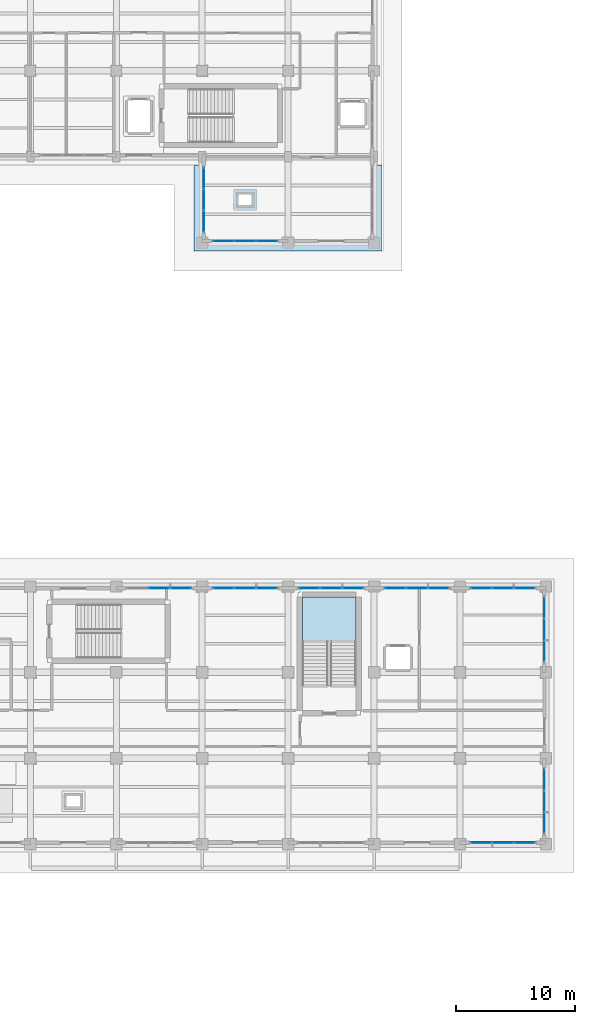
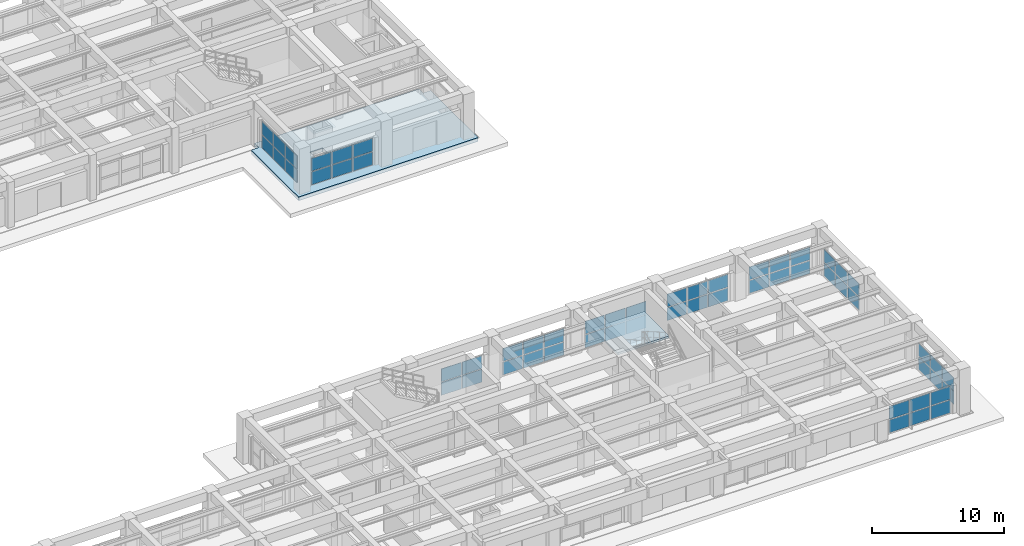
# One storey, part 38 of 64: 58 plates, 2 slabs, 11 elements without a shape of their own.
"""IFC4 building model written with IfcOpenShell, lengths in metres."""

from ifc_helpers import new_model, si_unit, direction, frame, origin, origin_2d, place, context, subcontext, project, spatial, polyline, rectangle, outline, extrude, material, layer, layer_set, type_object, element, aggregate, save


model = new_model("IFC4")

# Units and contexts
model_context = context("Model", 3, precision=1e-05, world=origin(), true_north=direction((0.0, 1.0)))
body_context = subcontext(model_context, "Body", "Model", "MODEL_VIEW")
ifc_project = project(units=[si_unit("LENGTHUNIT", "METRE"), si_unit("AREAUNIT", "SQUARE_METRE"), si_unit("VOLUMEUNIT", "CUBIC_METRE"), si_unit("PLANEANGLEUNIT", "RADIAN"), si_unit("MASSUNIT", "GRAM", prefix="KILO")], contexts=[model_context])

# Site, building, storey
site_placement = place(None, origin())
site = spatial("IfcSite", under=ifc_project, at=site_placement, CompositionType="ELEMENT")
building_placement = place(site_placement, origin())
building = spatial("IfcBuilding", under=site, at=building_placement, Name="Solenvale Faculty of Natural Sciences", CompositionType="ELEMENT")
storey_placement = place(building_placement, origin())
storey = spatial("IfcBuildingStorey", under=building, at=storey_placement, Name="L00", CompositionType="ELEMENT", Elevation=0.0)

# Curtain wall, plates
ifc_material_1 = material(Name="Anodised bronze aluminium", Category="aluminium")
ifc_layer_1 = layer(ifc_material_1, 0.199951171875)
ifc_layer_set_1 = layer_set([ifc_layer_1], Name="Anodised bronze aluminium")
curtain_wall_type_1 = type_object("IfcCurtainWallType", Name="CW-COM-FIN", PredefinedType="USERDEFINED", material=ifc_layer_set_1)
curtain_wall_1_placement = place(storey_placement, origin())
curtain_wall_1 = element("IfcCurtainWall", 1, at=curtain_wall_1_placement, inside=storey, type_object=curtain_wall_type_1, Name="L00 Curtain Wall CW-L00-P1-E6-B1", ObjectType="UNITISED CURTAIN WALL", PredefinedType="USERDEFINED")
ifc_material_2 = material(Name="North-light skylight glass", Category="glass")
ifc_layer_2 = layer(ifc_material_2, 0.028076171875)
ifc_layer_set_2 = layer_set([ifc_layer_2], Name="North-light skylight glass")
plate_type_1 = type_object("IfcPlateType", Name="CWP-PNL-28", PredefinedType="CURTAIN_PANEL", material=ifc_layer_set_2)
plate_1_placement = place(storey_placement, frame((165.45751953125, 37.785400390625, 0.074951171875), z_axis=(0.0, 0.0, 1.0), x_axis=(0.0, 1.0, 0.0)))
plate_1 = element("IfcPlate", 2, at=plate_1_placement, type_object=plate_type_1, Name="CW-03 panel 1.1", PredefinedType="CURTAIN_PANEL", context=body_context, shape_type="SweptSolid", body=[
    extrude(rectangle(XDim=1.720947265625, YDim=0.028076171875, at=origin_2d()), origin(), (0.0, 0.0, 1.0), 1.1875),
])
plate_2_placement = place(storey_placement, frame((165.45751953125, 37.785400390625, 1.33740234375), z_axis=(0.0, 0.0, 1.0), x_axis=(0.0, 1.0, 0.0)))
plate_2 = element("IfcPlate", 3, at=plate_2_placement, type_object=plate_type_1, Name="CW-03 panel 1.2", PredefinedType="CURTAIN_PANEL", context=body_context, shape_type="SweptSolid", body=[
    extrude(rectangle(XDim=1.720947265625, YDim=0.028076171875, at=origin_2d()), origin(), (0.0, 0.0, 1.0), 1.1875),
])
plate_3_placement = place(storey_placement, frame((165.45751953125, 39.60009765625, 0.074951171875), z_axis=(0.0, 0.0, 1.0), x_axis=(0.0, 1.0, 0.0)))
plate_3 = element("IfcPlate", 4, at=plate_3_placement, type_object=plate_type_1, Name="CW-03 panel 2.1", PredefinedType="CURTAIN_PANEL", context=body_context, shape_type="SweptSolid", body=[
    extrude(rectangle(XDim=1.75830078125, YDim=0.028076171875, at=origin_2d()), origin(), (0.0, 0.0, 1.0), 1.1875),
])
plate_4_placement = place(storey_placement, frame((165.45751953125, 39.60009765625, 1.33740234375), z_axis=(0.0, 0.0, 1.0), x_axis=(0.0, 1.0, 0.0)))
plate_4 = element("IfcPlate", 5, at=plate_4_placement, type_object=plate_type_1, Name="CW-03 panel 2.2", PredefinedType="CURTAIN_PANEL", context=body_context, shape_type="SweptSolid", body=[
    extrude(rectangle(XDim=1.75830078125, YDim=0.028076171875, at=origin_2d()), origin(), (0.0, 0.0, 1.0), 1.1875),
])
plate_5_placement = place(storey_placement, frame((165.45751953125, 41.41455078125, 0.074951171875), z_axis=(0.0, 0.0, 1.0), x_axis=(0.0, 1.0, 0.0)))
plate_5 = element("IfcPlate", 6, at=plate_5_placement, type_object=plate_type_1, Name="CW-03 panel 3.1", PredefinedType="CURTAIN_PANEL", context=body_context, shape_type="SweptSolid", body=[
    extrude(rectangle(XDim=1.720947265625, YDim=0.028076171875, at=origin_2d()), origin(), (0.0, 0.0, 1.0), 1.1875),
])
plate_6_placement = place(storey_placement, frame((165.45751953125, 41.41455078125, 1.33740234375), z_axis=(0.0, 0.0, 1.0), x_axis=(0.0, 1.0, 0.0)))
plate_6 = element("IfcPlate", 7, at=plate_6_placement, type_object=plate_type_1, Name="CW-03 panel 3.2", PredefinedType="CURTAIN_PANEL", context=body_context, shape_type="SweptSolid", body=[
    extrude(rectangle(XDim=1.720947265625, YDim=0.028076171875, at=origin_2d()), origin(), (0.0, 0.0, 1.0), 1.1875),
])
aggregate(curtain_wall_1, [plate_1, plate_2, plate_3, plate_4, plate_5, plate_6])

ifc_layer_3 = layer(ifc_material_1, 0.179931640625)
ifc_layer_set_3 = layer_set([ifc_layer_3], Name="Anodised bronze aluminium")
curtain_wall_type_2 = type_object("IfcCurtainWallType", Name="CW-TWR-MOD", PredefinedType="USERDEFINED", material=ifc_layer_set_3)
curtain_wall_2_placement = place(storey_placement, origin())
curtain_wall_2 = element("IfcCurtainWall", 8, at=curtain_wall_2_placement, inside=storey, type_object=curtain_wall_type_2, Name="L00 Curtain Wall CW-L00-P1-E14-B1", ObjectType="UNITISED CURTAIN WALL", PredefinedType="USERDEFINED")
plate_7_placement = place(storey_placement, frame((138.58544921875, 86.54248046875, 0.074951171875), z_axis=(0.0, 0.0, 1.0), x_axis=(1.0, 0.0, 0.0)))
plate_7 = element("IfcPlate", 9, at=plate_7_placement, type_object=plate_type_1, Name="CW-04 panel 1.1", PredefinedType="CURTAIN_PANEL", context=body_context, shape_type="SweptSolid", body=[
    extrude(rectangle(XDim=1.720947265625, YDim=0.028076171875, at=origin_2d()), origin(), (0.0, 0.0, 1.0), 1.1875),
])
plate_8_placement = place(storey_placement, frame((138.58544921875, 86.54248046875, 1.33740234375), z_axis=(0.0, 0.0, 1.0), x_axis=(1.0, 0.0, 0.0)))
plate_8 = element("IfcPlate", 10, at=plate_8_placement, type_object=plate_type_1, Name="CW-04 panel 1.2", PredefinedType="CURTAIN_PANEL", context=body_context, shape_type="SweptSolid", body=[
    extrude(rectangle(XDim=1.720947265625, YDim=0.028076171875, at=origin_2d()), origin(), (0.0, 0.0, 1.0), 1.1875),
])
plate_9_placement = place(storey_placement, frame((140.39990234375, 86.54248046875, 0.074951171875), z_axis=(0.0, 0.0, 1.0), x_axis=(1.0, 0.0, 0.0)))
plate_9 = element("IfcPlate", 11, at=plate_9_placement, type_object=plate_type_1, Name="CW-04 panel 2.1", PredefinedType="CURTAIN_PANEL", context=body_context, shape_type="SweptSolid", body=[
    extrude(rectangle(XDim=1.75830078125, YDim=0.028076171875, at=origin_2d()), origin(), (0.0, 0.0, 1.0), 1.1875),
])
plate_10_placement = place(storey_placement, frame((140.39990234375, 86.54248046875, 1.33740234375), z_axis=(0.0, 0.0, 1.0), x_axis=(1.0, 0.0, 0.0)))
plate_10 = element("IfcPlate", 12, at=plate_10_placement, type_object=plate_type_1, Name="CW-04 panel 2.2", PredefinedType="CURTAIN_PANEL", context=body_context, shape_type="SweptSolid", body=[
    extrude(rectangle(XDim=1.75830078125, YDim=0.028076171875, at=origin_2d()), origin(), (0.0, 0.0, 1.0), 1.1875),
])
plate_11_placement = place(storey_placement, frame((142.214599609375, 86.54248046875, 0.074951171875), z_axis=(0.0, 0.0, 1.0), x_axis=(1.0, 0.0, 0.0)))
plate_11 = element("IfcPlate", 13, at=plate_11_placement, type_object=plate_type_1, Name="CW-04 panel 3.1", PredefinedType="CURTAIN_PANEL", context=body_context, shape_type="SweptSolid", body=[
    extrude(rectangle(XDim=1.720947265625, YDim=0.028076171875, at=origin_2d()), origin(), (0.0, 0.0, 1.0), 1.1875),
])
plate_12_placement = place(storey_placement, frame((142.214599609375, 86.54248046875, 1.33740234375), z_axis=(0.0, 0.0, 1.0), x_axis=(1.0, 0.0, 0.0)))
plate_12 = element("IfcPlate", 14, at=plate_12_placement, type_object=plate_type_1, Name="CW-04 panel 3.2", PredefinedType="CURTAIN_PANEL", context=body_context, shape_type="SweptSolid", body=[
    extrude(rectangle(XDim=1.720947265625, YDim=0.028076171875, at=origin_2d()), origin(), (0.0, 0.0, 1.0), 1.1875),
])
aggregate(curtain_wall_2, [plate_7, plate_8, plate_9, plate_10, plate_11, plate_12])

curtain_wall_3_placement = place(storey_placement, origin())
curtain_wall_3 = element("IfcCurtainWall", 15, at=curtain_wall_3_placement, inside=storey, type_object=curtain_wall_type_1, Name="L00 Curtain Wall CW-L00-P1-E7-B1", ObjectType="UNITISED CURTAIN WALL", PredefinedType="USERDEFINED")
ifc_material_3 = material(Name="Triple low-E insulated glass", Category="glass")
ifc_layer_4 = layer(ifc_material_3, 0.031982421875)
ifc_layer_set_4 = layer_set([ifc_layer_4], Name="Triple low-E insulated glass")
plate_type_2 = type_object("IfcPlateType", Name="CWP-PNL-32", PredefinedType="CURTAIN_PANEL", material=ifc_layer_set_4)
plate_13_placement = place(storey_placement, frame((163.814697265625, 57.45751953125, 0.074951171875), z_axis=(0.0, 0.0, 1.0), x_axis=(-1.0, 0.0, 0.0)))
plate_13 = element("IfcPlate", 16, at=plate_13_placement, type_object=plate_type_2, Name="CW-03 panel 1.1", PredefinedType="CURTAIN_PANEL", context=body_context, shape_type="SweptSolid", body=[
    extrude(rectangle(XDim=1.720947265625, YDim=0.031982421875, at=origin_2d()), origin(), (0.0, 0.0, 1.0), 1.1875),
])
plate_14_placement = place(storey_placement, frame((163.814697265625, 57.45751953125, 1.33740234375), z_axis=(0.0, 0.0, 1.0), x_axis=(-1.0, 0.0, 0.0)))
plate_14 = element("IfcPlate", 17, at=plate_14_placement, type_object=plate_type_2, Name="CW-03 panel 1.2", PredefinedType="CURTAIN_PANEL", context=body_context, shape_type="SweptSolid", body=[
    extrude(rectangle(XDim=1.720947265625, YDim=0.031982421875, at=origin_2d()), origin(), (0.0, 0.0, 1.0), 1.1875),
])
plate_15_placement = place(storey_placement, frame((162.0, 57.45751953125, 0.074951171875), z_axis=(0.0, 0.0, 1.0), x_axis=(-1.0, 0.0, 0.0)))
plate_15 = element("IfcPlate", 18, at=plate_15_placement, type_object=plate_type_2, Name="CW-03 panel 2.1", PredefinedType="CURTAIN_PANEL", context=body_context, shape_type="SweptSolid", body=[
    extrude(rectangle(XDim=1.75830078125, YDim=0.031982421875, at=origin_2d()), origin(), (0.0, 0.0, 1.0), 1.1875),
])
plate_16_placement = place(storey_placement, frame((162.0, 57.45751953125, 1.33740234375), z_axis=(0.0, 0.0, 1.0), x_axis=(-1.0, 0.0, 0.0)))
plate_16 = element("IfcPlate", 19, at=plate_16_placement, type_object=plate_type_2, Name="CW-03 panel 2.2", PredefinedType="CURTAIN_PANEL", context=body_context, shape_type="SweptSolid", body=[
    extrude(rectangle(XDim=1.75830078125, YDim=0.031982421875, at=origin_2d()), origin(), (0.0, 0.0, 1.0), 1.1875),
])
plate_17_placement = place(storey_placement, frame((160.185302734375, 57.45751953125, 0.074951171875), z_axis=(0.0, 0.0, 1.0), x_axis=(-1.0, 0.0, 0.0)))
plate_17 = element("IfcPlate", 20, at=plate_17_placement, type_object=plate_type_2, Name="CW-03 panel 3.1", PredefinedType="CURTAIN_PANEL", context=body_context, shape_type="SweptSolid", body=[
    extrude(rectangle(XDim=1.720947265625, YDim=0.031982421875, at=origin_2d()), origin(), (0.0, 0.0, 1.0), 1.1875),
])
plate_18_placement = place(storey_placement, frame((160.185302734375, 57.45751953125, 1.33740234375), z_axis=(0.0, 0.0, 1.0), x_axis=(-1.0, 0.0, 0.0)))
plate_18 = element("IfcPlate", 21, at=plate_18_placement, type_object=plate_type_2, Name="CW-03 panel 3.2", PredefinedType="CURTAIN_PANEL", context=body_context, shape_type="SweptSolid", body=[
    extrude(rectangle(XDim=1.720947265625, YDim=0.031982421875, at=origin_2d()), origin(), (0.0, 0.0, 1.0), 1.1875),
])
aggregate(curtain_wall_3, [plate_13, plate_14, plate_15, plate_16, plate_17, plate_18])

curtain_wall_4_placement = place(storey_placement, origin())
curtain_wall_4 = element("IfcCurtainWall", 22, at=curtain_wall_4_placement, inside=storey, type_object=curtain_wall_type_1, Name="L00 Curtain Wall CW-L00-P1-E6-B3", ObjectType="UNITISED CURTAIN WALL", PredefinedType="USERDEFINED")
ifc_layer_5 = layer(ifc_material_3, 0.035888671875)
ifc_layer_set_5 = layer_set([ifc_layer_5], Name="Triple low-E insulated glass")
plate_type_3 = type_object("IfcPlateType", Name="CWP-PNL-36", PredefinedType="CURTAIN_PANEL", material=ifc_layer_set_5)
plate_19_placement = place(storey_placement, frame((165.45751953125, 52.185302734375, 0.074951171875), z_axis=(0.0, 0.0, 1.0), x_axis=(0.0, 1.0, 0.0)))
plate_19 = element("IfcPlate", 23, at=plate_19_placement, type_object=plate_type_3, Name="CW-03 panel 1.1", PredefinedType="CURTAIN_PANEL", context=body_context, shape_type="SweptSolid", body=[
    extrude(rectangle(XDim=1.720947265625, YDim=0.035888671875, at=origin_2d()), origin(), (0.0, 0.0, 1.0), 1.1875),
])
plate_20_placement = place(storey_placement, frame((165.45751953125, 52.185302734375, 1.33740234375), z_axis=(0.0, 0.0, 1.0), x_axis=(0.0, 1.0, 0.0)))
plate_20 = element("IfcPlate", 24, at=plate_20_placement, type_object=plate_type_3, Name="CW-03 panel 1.2", PredefinedType="CURTAIN_PANEL", context=body_context, shape_type="SweptSolid", body=[
    extrude(rectangle(XDim=1.720947265625, YDim=0.035888671875, at=origin_2d()), origin(), (0.0, 0.0, 1.0), 1.1875),
])
plate_21_placement = place(storey_placement, frame((165.45751953125, 54.0, 0.074951171875), z_axis=(0.0, 0.0, 1.0), x_axis=(0.0, 1.0, 0.0)))
plate_21 = element("IfcPlate", 25, at=plate_21_placement, type_object=plate_type_3, Name="CW-03 panel 2.1", PredefinedType="CURTAIN_PANEL", context=body_context, shape_type="SweptSolid", body=[
    extrude(rectangle(XDim=1.75830078125, YDim=0.035888671875, at=origin_2d()), origin(), (0.0, 0.0, 1.0), 1.1875),
])
plate_22_placement = place(storey_placement, frame((165.45751953125, 54.0, 1.33740234375), z_axis=(0.0, 0.0, 1.0), x_axis=(0.0, 1.0, 0.0)))
plate_22 = element("IfcPlate", 26, at=plate_22_placement, type_object=plate_type_3, Name="CW-03 panel 2.2", PredefinedType="CURTAIN_PANEL", context=body_context, shape_type="SweptSolid", body=[
    extrude(rectangle(XDim=1.75830078125, YDim=0.035888671875, at=origin_2d()), origin(), (0.0, 0.0, 1.0), 1.1875),
])
plate_23_placement = place(storey_placement, frame((165.45751953125, 55.814697265625, 0.074951171875), z_axis=(0.0, 0.0, 1.0), x_axis=(0.0, 1.0, 0.0)))
plate_23 = element("IfcPlate", 27, at=plate_23_placement, type_object=plate_type_3, Name="CW-03 panel 3.1", PredefinedType="CURTAIN_PANEL", context=body_context, shape_type="SweptSolid", body=[
    extrude(rectangle(XDim=1.720947265625, YDim=0.035888671875, at=origin_2d()), origin(), (0.0, 0.0, 1.0), 1.1875),
])
plate_24_placement = place(storey_placement, frame((165.45751953125, 55.814697265625, 1.33740234375), z_axis=(0.0, 0.0, 1.0), x_axis=(0.0, 1.0, 0.0)))
plate_24 = element("IfcPlate", 28, at=plate_24_placement, type_object=plate_type_3, Name="CW-03 panel 3.2", PredefinedType="CURTAIN_PANEL", context=body_context, shape_type="SweptSolid", body=[
    extrude(rectangle(XDim=1.720947265625, YDim=0.035888671875, at=origin_2d()), origin(), (0.0, 0.0, 1.0), 1.1875),
])
aggregate(curtain_wall_4, [plate_19, plate_20, plate_21, plate_22, plate_23, plate_24])

curtain_wall_5_placement = place(storey_placement, origin())
curtain_wall_5 = element("IfcCurtainWall", 29, at=curtain_wall_5_placement, inside=storey, type_object=curtain_wall_type_1, Name="L00 Curtain Wall CW-L00-P1-E7-B2", ObjectType="UNITISED CURTAIN WALL", PredefinedType="USERDEFINED")
plate_25_placement = place(storey_placement, frame((156.614501953125, 57.45751953125, 0.074951171875), z_axis=(0.0, 0.0, 1.0), x_axis=(-1.0, 0.0, 0.0)))
plate_25 = element("IfcPlate", 30, at=plate_25_placement, type_object=plate_type_3, Name="CW-03 panel 1.1", PredefinedType="CURTAIN_PANEL", context=body_context, shape_type="SweptSolid", body=[
    extrude(rectangle(XDim=1.720947265625, YDim=0.035888671875, at=origin_2d()), origin(), (0.0, 0.0, 1.0), 1.1875),
])
plate_26_placement = place(storey_placement, frame((156.614501953125, 57.45751953125, 1.33740234375), z_axis=(0.0, 0.0, 1.0), x_axis=(-1.0, 0.0, 0.0)))
plate_26 = element("IfcPlate", 31, at=plate_26_placement, type_object=plate_type_3, Name="CW-03 panel 1.2", PredefinedType="CURTAIN_PANEL", context=body_context, shape_type="SweptSolid", body=[
    extrude(rectangle(XDim=1.720947265625, YDim=0.035888671875, at=origin_2d()), origin(), (0.0, 0.0, 1.0), 1.1875),
])
plate_27_placement = place(storey_placement, frame((154.800048828125, 57.45751953125, 0.074951171875), z_axis=(0.0, 0.0, 1.0), x_axis=(-1.0, 0.0, 0.0)))
plate_27 = element("IfcPlate", 32, at=plate_27_placement, type_object=plate_type_3, Name="CW-03 panel 2.1", PredefinedType="CURTAIN_PANEL", context=body_context, shape_type="SweptSolid", body=[
    extrude(rectangle(XDim=1.75830078125, YDim=0.035888671875, at=origin_2d()), origin(), (0.0, 0.0, 1.0), 1.1875),
])
plate_28_placement = place(storey_placement, frame((154.800048828125, 57.45751953125, 1.33740234375), z_axis=(0.0, 0.0, 1.0), x_axis=(-1.0, 0.0, 0.0)))
plate_28 = element("IfcPlate", 33, at=plate_28_placement, type_object=plate_type_3, Name="CW-03 panel 2.2", PredefinedType="CURTAIN_PANEL", context=body_context, shape_type="SweptSolid", body=[
    extrude(rectangle(XDim=1.75830078125, YDim=0.035888671875, at=origin_2d()), origin(), (0.0, 0.0, 1.0), 1.1875),
])
plate_29_placement = place(storey_placement, frame((152.9853515625, 57.45751953125, 0.074951171875), z_axis=(0.0, 0.0, 1.0), x_axis=(-1.0, 0.0, 0.0)))
plate_29 = element("IfcPlate", 34, at=plate_29_placement, type_object=plate_type_3, Name="CW-03 panel 3.1", PredefinedType="CURTAIN_PANEL", context=body_context, shape_type="SweptSolid", body=[
    extrude(rectangle(XDim=1.720947265625, YDim=0.035888671875, at=origin_2d()), origin(), (0.0, 0.0, 1.0), 1.1875),
])
plate_30_placement = place(storey_placement, frame((152.9853515625, 57.45751953125, 1.33740234375), z_axis=(0.0, 0.0, 1.0), x_axis=(-1.0, 0.0, 0.0)))
plate_30 = element("IfcPlate", 35, at=plate_30_placement, type_object=plate_type_3, Name="CW-03 panel 3.2", PredefinedType="CURTAIN_PANEL", context=body_context, shape_type="SweptSolid", body=[
    extrude(rectangle(XDim=1.720947265625, YDim=0.035888671875, at=origin_2d()), origin(), (0.0, 0.0, 1.0), 1.1875),
])
aggregate(curtain_wall_5, [plate_25, plate_26, plate_27, plate_28, plate_29, plate_30])

curtain_wall_6_placement = place(storey_placement, origin())
curtain_wall_6 = element("IfcCurtainWall", 36, at=curtain_wall_6_placement, inside=storey, type_object=curtain_wall_type_1, Name="L00 Curtain Wall CW-L00-P1-E7-B3", ObjectType="UNITISED CURTAIN WALL", PredefinedType="USERDEFINED")
ifc_layer_6 = layer(ifc_material_3, 0.0400390625)
ifc_layer_set_6 = layer_set([ifc_layer_6], Name="Triple low-E insulated glass")
plate_type_4 = type_object("IfcPlateType", Name="CWP-PNL-40", PredefinedType="CURTAIN_PANEL", material=ifc_layer_set_6)
plate_31_placement = place(storey_placement, frame((149.41455078125, 57.45751953125, 0.074951171875), z_axis=(0.0, 0.0, 1.0), x_axis=(-1.0, 0.0, 0.0)))
plate_31 = element("IfcPlate", 37, at=plate_31_placement, type_object=plate_type_4, Name="CW-03 panel 1.1", PredefinedType="CURTAIN_PANEL", context=body_context, shape_type="SweptSolid", body=[
    extrude(rectangle(XDim=1.720947265625, YDim=0.0400390625, at=origin_2d()), origin(), (0.0, 0.0, 1.0), 1.1875),
])
plate_32_placement = place(storey_placement, frame((149.41455078125, 57.45751953125, 1.33740234375), z_axis=(0.0, 0.0, 1.0), x_axis=(-1.0, 0.0, 0.0)))
plate_32 = element("IfcPlate", 38, at=plate_32_placement, type_object=plate_type_4, Name="CW-03 panel 1.2", PredefinedType="CURTAIN_PANEL", context=body_context, shape_type="SweptSolid", body=[
    extrude(rectangle(XDim=1.720947265625, YDim=0.0400390625, at=origin_2d()), origin(), (0.0, 0.0, 1.0), 1.1875),
])
plate_33_placement = place(storey_placement, frame((147.60009765625, 57.45751953125, 0.074951171875), z_axis=(0.0, 0.0, 1.0), x_axis=(-1.0, 0.0, 0.0)))
plate_33 = element("IfcPlate", 39, at=plate_33_placement, type_object=plate_type_4, Name="CW-03 panel 2.1", PredefinedType="CURTAIN_PANEL", context=body_context, shape_type="SweptSolid", body=[
    extrude(rectangle(XDim=1.75830078125, YDim=0.0400390625, at=origin_2d()), origin(), (0.0, 0.0, 1.0), 1.1875),
])
plate_34_placement = place(storey_placement, frame((147.60009765625, 57.45751953125, 1.33740234375), z_axis=(0.0, 0.0, 1.0), x_axis=(-1.0, 0.0, 0.0)))
plate_34 = element("IfcPlate", 40, at=plate_34_placement, type_object=plate_type_4, Name="CW-03 panel 2.2", PredefinedType="CURTAIN_PANEL", context=body_context, shape_type="SweptSolid", body=[
    extrude(rectangle(XDim=1.75830078125, YDim=0.0400390625, at=origin_2d()), origin(), (0.0, 0.0, 1.0), 1.1875),
])
plate_35_placement = place(storey_placement, frame((145.785400390625, 57.45751953125, 0.074951171875), z_axis=(0.0, 0.0, 1.0), x_axis=(-1.0, 0.0, 0.0)))
plate_35 = element("IfcPlate", 41, at=plate_35_placement, type_object=plate_type_4, Name="CW-03 panel 3.1", PredefinedType="CURTAIN_PANEL", context=body_context, shape_type="SweptSolid", body=[
    extrude(rectangle(XDim=1.720947265625, YDim=0.0400390625, at=origin_2d()), origin(), (0.0, 0.0, 1.0), 1.1875),
])
plate_36_placement = place(storey_placement, frame((145.785400390625, 57.45751953125, 1.33740234375), z_axis=(0.0, 0.0, 1.0), x_axis=(-1.0, 0.0, 0.0)))
plate_36 = element("IfcPlate", 42, at=plate_36_placement, type_object=plate_type_4, Name="CW-03 panel 3.2", PredefinedType="CURTAIN_PANEL", context=body_context, shape_type="SweptSolid", body=[
    extrude(rectangle(XDim=1.720947265625, YDim=0.0400390625, at=origin_2d()), origin(), (0.0, 0.0, 1.0), 1.1875),
])
aggregate(curtain_wall_6, [plate_31, plate_32, plate_33, plate_34, plate_35, plate_36])

curtain_wall_7_placement = place(storey_placement, origin())
curtain_wall_7 = element("IfcCurtainWall", 43, at=curtain_wall_7_placement, inside=storey, type_object=curtain_wall_type_1, Name="L00 Curtain Wall CW-L00-P1-E7-B4", ObjectType="UNITISED CURTAIN WALL", PredefinedType="USERDEFINED")
ifc_layer_7 = layer(ifc_material_3, 0.0439453125)
ifc_layer_set_7 = layer_set([ifc_layer_7], Name="Triple low-E insulated glass")
plate_type_5 = type_object("IfcPlateType", Name="CWP-PNL-44", PredefinedType="CURTAIN_PANEL", material=ifc_layer_set_7)
plate_37_placement = place(storey_placement, frame((142.214599609375, 57.45751953125, 0.074951171875), z_axis=(0.0, 0.0, 1.0), x_axis=(-1.0, 0.0, 0.0)))
plate_37 = element("IfcPlate", 44, at=plate_37_placement, type_object=plate_type_5, Name="CW-03 panel 1.1", PredefinedType="CURTAIN_PANEL", context=body_context, shape_type="SweptSolid", body=[
    extrude(rectangle(XDim=1.720947265625, YDim=0.0439453125, at=origin_2d()), origin(), (0.0, 0.0, 1.0), 1.1875),
])
plate_38_placement = place(storey_placement, frame((142.214599609375, 57.45751953125, 1.33740234375), z_axis=(0.0, 0.0, 1.0), x_axis=(-1.0, 0.0, 0.0)))
plate_38 = element("IfcPlate", 45, at=plate_38_placement, type_object=plate_type_5, Name="CW-03 panel 1.2", PredefinedType="CURTAIN_PANEL", context=body_context, shape_type="SweptSolid", body=[
    extrude(rectangle(XDim=1.720947265625, YDim=0.0439453125, at=origin_2d()), origin(), (0.0, 0.0, 1.0), 1.1875),
])
plate_39_placement = place(storey_placement, frame((140.39990234375, 57.45751953125, 0.074951171875), z_axis=(0.0, 0.0, 1.0), x_axis=(-1.0, 0.0, 0.0)))
plate_39 = element("IfcPlate", 46, at=plate_39_placement, type_object=plate_type_5, Name="CW-03 panel 2.1", PredefinedType="CURTAIN_PANEL", context=body_context, shape_type="SweptSolid", body=[
    extrude(rectangle(XDim=1.75830078125, YDim=0.0439453125, at=origin_2d()), origin(), (0.0, 0.0, 1.0), 1.1875),
])
plate_40_placement = place(storey_placement, frame((140.39990234375, 57.45751953125, 1.33740234375), z_axis=(0.0, 0.0, 1.0), x_axis=(-1.0, 0.0, 0.0)))
plate_40 = element("IfcPlate", 47, at=plate_40_placement, type_object=plate_type_5, Name="CW-03 panel 2.2", PredefinedType="CURTAIN_PANEL", context=body_context, shape_type="SweptSolid", body=[
    extrude(rectangle(XDim=1.75830078125, YDim=0.0439453125, at=origin_2d()), origin(), (0.0, 0.0, 1.0), 1.1875),
])
plate_41_placement = place(storey_placement, frame((138.58544921875, 57.45751953125, 0.074951171875), z_axis=(0.0, 0.0, 1.0), x_axis=(-1.0, 0.0, 0.0)))
plate_41 = element("IfcPlate", 48, at=plate_41_placement, type_object=plate_type_5, Name="CW-03 panel 3.1", PredefinedType="CURTAIN_PANEL", context=body_context, shape_type="SweptSolid", body=[
    extrude(rectangle(XDim=1.720947265625, YDim=0.0439453125, at=origin_2d()), origin(), (0.0, 0.0, 1.0), 1.1875),
])
plate_42_placement = place(storey_placement, frame((138.58544921875, 57.45751953125, 1.33740234375), z_axis=(0.0, 0.0, 1.0), x_axis=(-1.0, 0.0, 0.0)))
plate_42 = element("IfcPlate", 49, at=plate_42_placement, type_object=plate_type_5, Name="CW-03 panel 3.2", PredefinedType="CURTAIN_PANEL", context=body_context, shape_type="SweptSolid", body=[
    extrude(rectangle(XDim=1.720947265625, YDim=0.0439453125, at=origin_2d()), origin(), (0.0, 0.0, 1.0), 1.1875),
])
aggregate(curtain_wall_7, [plate_37, plate_38, plate_39, plate_40, plate_41, plate_42])

curtain_wall_8_placement = place(storey_placement, origin())
curtain_wall_8 = element("IfcCurtainWall", 50, at=curtain_wall_8_placement, inside=storey, type_object=curtain_wall_type_1, Name="L00 Curtain Wall CW-L00-P1-E5-B7", ObjectType="UNITISED CURTAIN WALL", PredefinedType="USERDEFINED")
ifc_layer_8 = layer(ifc_material_1, 0.048095703125)
ifc_layer_set_8 = layer_set([ifc_layer_8], Name="Anodised bronze aluminium")
plate_type_6 = type_object("IfcPlateType", Name="CWP-PNL-48", PredefinedType="CURTAIN_PANEL", material=ifc_layer_set_8)
plate_43_placement = place(storey_placement, frame((160.185302734375, 36.142578125, 0.074951171875), z_axis=(0.0, 0.0, 1.0), x_axis=(1.0, 0.0, 0.0)))
plate_43 = element("IfcPlate", 51, at=plate_43_placement, type_object=plate_type_6, Name="CW-03 panel 1.1", PredefinedType="CURTAIN_PANEL", context=body_context, shape_type="SweptSolid", body=[
    extrude(rectangle(XDim=1.720947265625, YDim=0.048095703125, at=origin_2d()), origin(), (0.0, 0.0, 1.0), 1.1875),
])
plate_44_placement = place(storey_placement, frame((160.185302734375, 36.142578125, 1.33740234375), z_axis=(0.0, 0.0, 1.0), x_axis=(1.0, 0.0, 0.0)))
plate_44 = element("IfcPlate", 52, at=plate_44_placement, type_object=plate_type_6, Name="CW-03 panel 1.2", PredefinedType="CURTAIN_PANEL", context=body_context, shape_type="SweptSolid", body=[
    extrude(rectangle(XDim=1.720947265625, YDim=0.048095703125, at=origin_2d()), origin(), (0.0, 0.0, 1.0), 1.1875),
])
plate_45_placement = place(storey_placement, frame((162.0, 36.142578125, 0.074951171875), z_axis=(0.0, 0.0, 1.0), x_axis=(1.0, 0.0, 0.0)))
plate_45 = element("IfcPlate", 53, at=plate_45_placement, type_object=plate_type_6, Name="CW-03 panel 2.1", PredefinedType="CURTAIN_PANEL", context=body_context, shape_type="SweptSolid", body=[
    extrude(rectangle(XDim=1.75830078125, YDim=0.048095703125, at=origin_2d()), origin(), (0.0, 0.0, 1.0), 1.1875),
])
plate_46_placement = place(storey_placement, frame((162.0, 36.142578125, 1.33740234375), z_axis=(0.0, 0.0, 1.0), x_axis=(1.0, 0.0, 0.0)))
plate_46 = element("IfcPlate", 54, at=plate_46_placement, type_object=plate_type_6, Name="CW-03 panel 2.2", PredefinedType="CURTAIN_PANEL", context=body_context, shape_type="SweptSolid", body=[
    extrude(rectangle(XDim=1.75830078125, YDim=0.048095703125, at=origin_2d()), origin(), (0.0, 0.0, 1.0), 1.1875),
])
plate_47_placement = place(storey_placement, frame((163.814697265625, 36.142578125, 0.074951171875), z_axis=(0.0, 0.0, 1.0), x_axis=(1.0, 0.0, 0.0)))
plate_47 = element("IfcPlate", 55, at=plate_47_placement, type_object=plate_type_6, Name="CW-03 panel 3.1", PredefinedType="CURTAIN_PANEL", context=body_context, shape_type="SweptSolid", body=[
    extrude(rectangle(XDim=1.720947265625, YDim=0.048095703125, at=origin_2d()), origin(), (0.0, 0.0, 1.0), 1.1875),
])
plate_48_placement = place(storey_placement, frame((163.814697265625, 36.142578125, 1.33740234375), z_axis=(0.0, 0.0, 1.0), x_axis=(1.0, 0.0, 0.0)))
plate_48 = element("IfcPlate", 56, at=plate_48_placement, type_object=plate_type_6, Name="CW-03 panel 3.2", PredefinedType="CURTAIN_PANEL", context=body_context, shape_type="SweptSolid", body=[
    extrude(rectangle(XDim=1.720947265625, YDim=0.048095703125, at=origin_2d()), origin(), (0.0, 0.0, 1.0), 1.1875),
])
aggregate(curtain_wall_8, [plate_43, plate_44, plate_45, plate_46, plate_47, plate_48])

curtain_wall_9_placement = place(storey_placement, origin())
curtain_wall_9 = element("IfcCurtainWall", 57, at=curtain_wall_9_placement, inside=storey, type_object=curtain_wall_type_1, Name="L00 Curtain Wall CW-L00-P1-E7-B5", ObjectType="UNITISED CURTAIN WALL", PredefinedType="USERDEFINED")
plate_49_placement = place(storey_placement, frame((135.0146484375, 57.45751953125, 0.074951171875), z_axis=(0.0, 0.0, 1.0), x_axis=(-1.0, 0.0, 0.0)))
plate_49 = element("IfcPlate", 58, at=plate_49_placement, type_object=plate_type_6, Name="CW-03 panel 1.1", PredefinedType="CURTAIN_PANEL", context=body_context, shape_type="SweptSolid", body=[
    extrude(rectangle(XDim=1.720947265625, YDim=0.048095703125, at=origin_2d()), origin(), (0.0, 0.0, 1.0), 1.1875),
])
plate_50_placement = place(storey_placement, frame((135.0146484375, 57.45751953125, 1.33740234375), z_axis=(0.0, 0.0, 1.0), x_axis=(-1.0, 0.0, 0.0)))
plate_50 = element("IfcPlate", 59, at=plate_50_placement, type_object=plate_type_6, Name="CW-03 panel 1.2", PredefinedType="CURTAIN_PANEL", context=body_context, shape_type="SweptSolid", body=[
    extrude(rectangle(XDim=1.720947265625, YDim=0.048095703125, at=origin_2d()), origin(), (0.0, 0.0, 1.0), 1.1875),
])
plate_51_placement = place(storey_placement, frame((133.199951171875, 57.45751953125, 0.074951171875), z_axis=(0.0, 0.0, 1.0), x_axis=(-1.0, 0.0, 0.0)))
plate_51 = element("IfcPlate", 60, at=plate_51_placement, type_object=plate_type_6, Name="CW-03 panel 2.1", PredefinedType="CURTAIN_PANEL", context=body_context, shape_type="SweptSolid", body=[
    extrude(rectangle(XDim=1.75830078125, YDim=0.048095703125, at=origin_2d()), origin(), (0.0, 0.0, 1.0), 1.1875),
])
plate_52_placement = place(storey_placement, frame((133.199951171875, 57.45751953125, 1.33740234375), z_axis=(0.0, 0.0, 1.0), x_axis=(-1.0, 0.0, 0.0)))
plate_52 = element("IfcPlate", 61, at=plate_52_placement, type_object=plate_type_6, Name="CW-03 panel 2.2", PredefinedType="CURTAIN_PANEL", context=body_context, shape_type="SweptSolid", body=[
    extrude(rectangle(XDim=1.75830078125, YDim=0.048095703125, at=origin_2d()), origin(), (0.0, 0.0, 1.0), 1.1875),
])
aggregate(curtain_wall_9, [plate_49, plate_50, plate_51, plate_52])

curtain_wall_10_placement = place(storey_placement, origin())
curtain_wall_10 = element("IfcCurtainWall", 62, at=curtain_wall_10_placement, inside=storey, type_object=curtain_wall_type_2, Name="L00 Curtain Wall CW-L00-P1-E13-B1", ObjectType="UNITISED CURTAIN WALL", PredefinedType="USERDEFINED")
ifc_layer_9 = layer(ifc_material_1, 0.06005859375)
ifc_layer_set_9 = layer_set([ifc_layer_9], Name="Anodised bronze aluminium")
plate_type_7 = type_object("IfcPlateType", Name="CWP-PNL-60", PredefinedType="CURTAIN_PANEL", material=ifc_layer_set_9)
plate_53_placement = place(storey_placement, frame((136.9423828125, 91.814697265625, 0.074951171875), z_axis=(0.0, 0.0, 1.0), x_axis=(0.0, -1.0, 0.0)))
plate_53 = element("IfcPlate", 63, at=plate_53_placement, type_object=plate_type_7, Name="CW-04 panel 1.1", PredefinedType="CURTAIN_PANEL", context=body_context, shape_type="SweptSolid", body=[
    extrude(rectangle(XDim=1.720947265625, YDim=0.06005859375, at=origin_2d()), origin(), (0.0, 0.0, 1.0), 1.1875),
])
plate_54_placement = place(storey_placement, frame((136.9423828125, 91.814697265625, 1.33740234375), z_axis=(0.0, 0.0, 1.0), x_axis=(0.0, -1.0, 0.0)))
plate_54 = element("IfcPlate", 64, at=plate_54_placement, type_object=plate_type_7, Name="CW-04 panel 1.2", PredefinedType="CURTAIN_PANEL", context=body_context, shape_type="SweptSolid", body=[
    extrude(rectangle(XDim=1.720947265625, YDim=0.06005859375, at=origin_2d()), origin(), (0.0, 0.0, 1.0), 1.1875),
])
plate_55_placement = place(storey_placement, frame((136.9423828125, 90.0, 0.074951171875), z_axis=(0.0, 0.0, 1.0), x_axis=(0.0, -1.0, 0.0)))
plate_55 = element("IfcPlate", 65, at=plate_55_placement, type_object=plate_type_7, Name="CW-04 panel 2.1", PredefinedType="CURTAIN_PANEL", context=body_context, shape_type="SweptSolid", body=[
    extrude(rectangle(XDim=1.75830078125, YDim=0.06005859375, at=origin_2d()), origin(), (0.0, 0.0, 1.0), 1.1875),
])
plate_56_placement = place(storey_placement, frame((136.9423828125, 90.0, 1.33740234375), z_axis=(0.0, 0.0, 1.0), x_axis=(0.0, -1.0, 0.0)))
plate_56 = element("IfcPlate", 66, at=plate_56_placement, type_object=plate_type_7, Name="CW-04 panel 2.2", PredefinedType="CURTAIN_PANEL", context=body_context, shape_type="SweptSolid", body=[
    extrude(rectangle(XDim=1.75830078125, YDim=0.06005859375, at=origin_2d()), origin(), (0.0, 0.0, 1.0), 1.1875),
])
plate_57_placement = place(storey_placement, frame((136.9423828125, 88.185302734375, 0.074951171875), z_axis=(0.0, 0.0, 1.0), x_axis=(0.0, -1.0, 0.0)))
plate_57 = element("IfcPlate", 67, at=plate_57_placement, type_object=plate_type_7, Name="CW-04 panel 3.1", PredefinedType="CURTAIN_PANEL", context=body_context, shape_type="SweptSolid", body=[
    extrude(rectangle(XDim=1.720947265625, YDim=0.06005859375, at=origin_2d()), origin(), (0.0, 0.0, 1.0), 1.1875),
])
plate_58_placement = place(storey_placement, frame((136.9423828125, 88.185302734375, 1.33740234375), z_axis=(0.0, 0.0, 1.0), x_axis=(0.0, -1.0, 0.0)))
plate_58 = element("IfcPlate", 68, at=plate_58_placement, type_object=plate_type_7, Name="CW-04 panel 3.2", PredefinedType="CURTAIN_PANEL", context=body_context, shape_type="SweptSolid", body=[
    extrude(rectangle(XDim=1.720947265625, YDim=0.06005859375, at=origin_2d()), origin(), (0.0, 0.0, 1.0), 1.1875),
])
aggregate(curtain_wall_10, [plate_53, plate_54, plate_55, plate_56, plate_57, plate_58])

# Slab
ifc_material_4 = material(Name="Concrete 40 MPa", Category="concrete")
ifc_layer_10 = layer(ifc_material_4, 0.35009765625)
ifc_layer_set_10 = layer_set([ifc_layer_10], Name="Concrete 40 MPa")
slab_type_1 = type_object("IfcSlabType", Name="SL-FLR-350", PredefinedType="FLOOR", material=ifc_layer_set_10)
slab_1_placement = place(storey_placement, frame((0.0, 0.0, -0.35009765625)))
element("IfcSlab", 69, at=slab_1_placement, inside=storey, type_object=slab_type_1, Name="L00 V5E Floor Slab 1.1", PredefinedType="FLOOR", context=body_context, shape_type="SweptSolid", body=[
    extrude(outline(polyline([(136.14501953125, 85.719970703125), (136.127197265625, 85.727294921875), (136.1201171875, 85.7451171875), (136.1201171875, 92.8974609375), (136.129150390625, 92.914306640625), (136.14501953125, 92.919921875), (136.780029296875, 92.919921875), (136.780029296875, 93.544921875), (136.79541015625, 93.568115234375), (151.195068359375, 93.570068359375), (151.212646484375, 93.562744140625), (151.219970703125, 93.544921875), (151.219970703125, 92.919921875), (151.85498046875, 92.919921875), (151.878173828125, 92.904541015625), (151.8798828125, 85.7451171875), (151.864501953125, 85.721923828125), (136.14501953125, 85.719970703125)]), holes=[polyline([(139.85009765625, 89.550048828125), (140.949951171875, 89.550048828125), (140.949951171875, 90.449951171875), (139.85009765625, 90.449951171875), (139.85009765625, 89.550048828125)])]), origin(), (0.0, 0.0, 1.0), 0.35009765625),
])

# Stair, slab
stair_type = type_object("IfcStairType", Name="STR-CORE-25R", PredefinedType="DOUBLE_RETURN_STAIR", material=ifc_material_4)
stair_placement = place(storey_placement, origin())
stair = element("IfcStair", 70, at=stair_placement, inside=storey, type_object=stair_type, Name="L00 Protected Exit Stair ST-02", PredefinedType="DOUBLE_RETURN_STAIR")
ifc_layer_11 = layer(ifc_material_4, 0.195068359375)
ifc_layer_set_11 = layer_set([ifc_layer_11], Name="Concrete 40 MPa")
slab_type_2 = type_object("IfcSlabType", Name="SL-LND-195", PredefinedType="LANDING", material=ifc_layer_set_11)
slab_2_placement = place(storey_placement, frame((0.0, 0.0, 2.050048828125)))
slab_2 = element("IfcSlab", 71, at=slab_2_placement, type_object=slab_type_2, Name="ST-02 landing 1", PredefinedType="LANDING", context=body_context, shape_type="SweptSolid", body=[
    extrude(outline(polyline([(149.699951171875, 52.93994140625), (149.699951171875, 56.699951171875), (145.199951171875, 56.699951171875), (145.199951171875, 52.93994140625), (149.699951171875, 52.93994140625)])), origin(), (0.0, 0.0, 1.0), 0.199951171875),
])
aggregate(stair, [slab_2])

save(model, "model.ifc")
